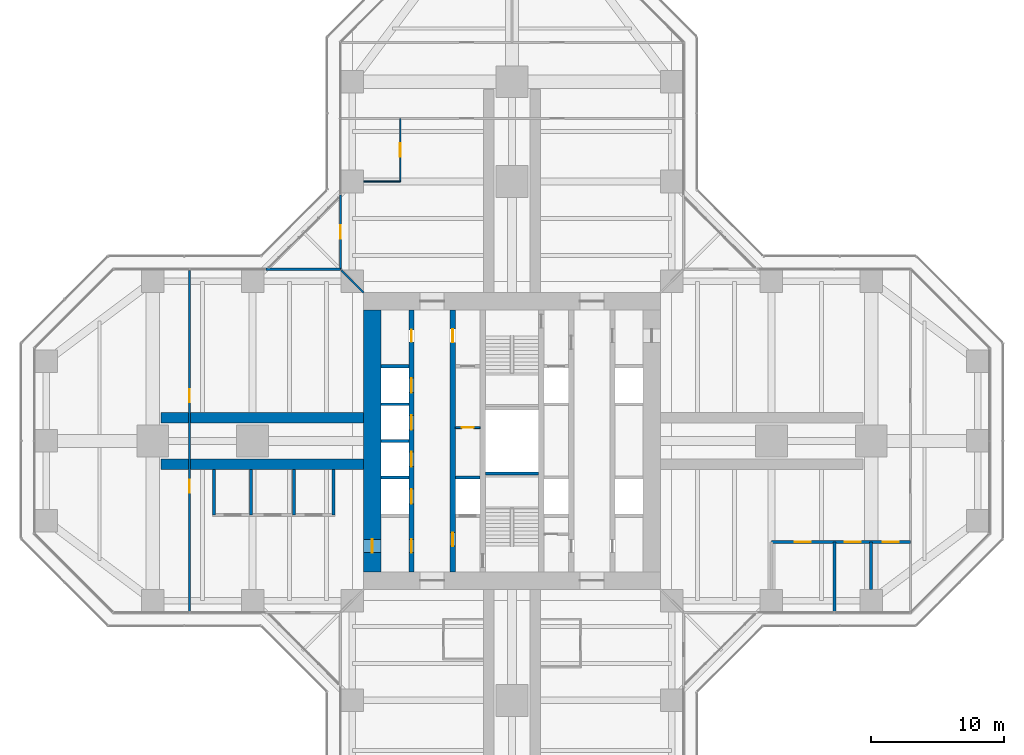
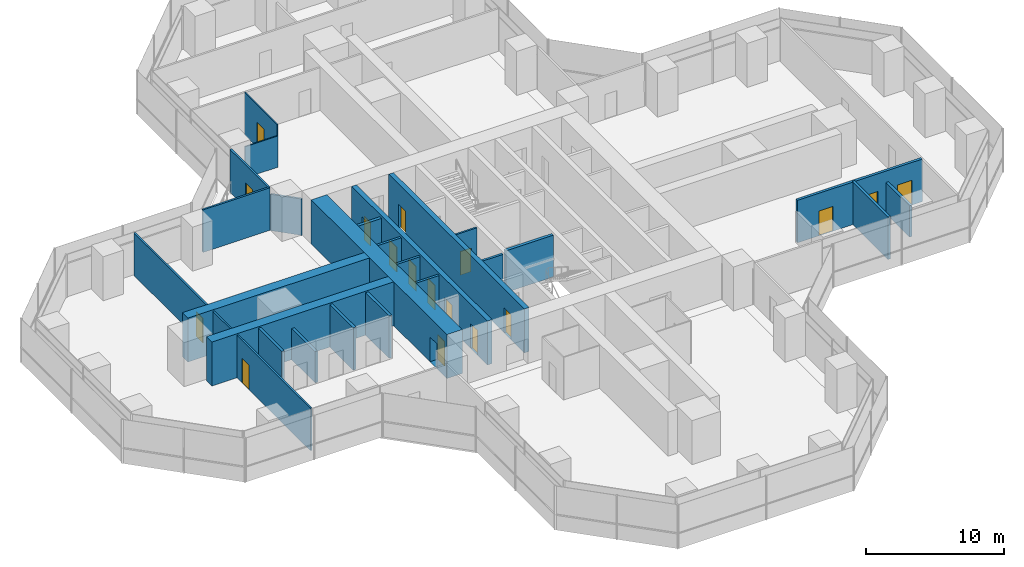
# One storey, part 18 of 22: 25 walls, 17 doors, 17 openings.
"""IFC4 building model written with IfcOpenShell, lengths in metres."""

from ifc_helpers import new_model, si_unit, direction, frame, frame_2d, origin, place, context, subcontext, project, spatial, rectangle, extrude, material, layer, layer_set, type_object, element, fill, save


model = new_model("IFC4")

# Units and contexts
model_context = context("Model", 3, precision=1e-05, world=origin(), true_north=direction((0.0, 1.0)))
body_context = subcontext(model_context, "Body", "Model", "MODEL_VIEW")
ifc_project = project(units=[si_unit("LENGTHUNIT", "METRE"), si_unit("AREAUNIT", "SQUARE_METRE"), si_unit("VOLUMEUNIT", "CUBIC_METRE"), si_unit("PLANEANGLEUNIT", "RADIAN"), si_unit("MASSUNIT", "GRAM", prefix="KILO")], contexts=[model_context])

# Site, building, storey
site_placement = place(None, origin())
site = spatial("IfcSite", under=ifc_project, at=site_placement, CompositionType="ELEMENT")
building_placement = place(site_placement, origin())
building = spatial("IfcBuilding", under=site, at=building_placement, Name="Mizan Broadcast Tower", CompositionType="ELEMENT")
storey_placement = place(building_placement, frame((0.0, 0.0, 47.39990234375)))
storey = spatial("IfcBuildingStorey", under=building, at=storey_placement, Name="L08", CompositionType="ELEMENT", Elevation=47.39990234375)

# Wall, openings, doors
ifc_material_1 = material(Name="Concrete C70/85", Category="concrete")
ifc_layer_1 = layer(ifc_material_1, 0.39990234375)
ifc_layer_set_1 = layer_set([ifc_layer_1], Name="Concrete C70/85")
wall_type_1 = type_object("IfcWallType", Name="CORE INTERNAL WALL 400", PredefinedType="SHEAR", material=ifc_layer_set_1)
wall_1_placement = place(storey_placement, frame((-7.550048828125, -9.85009765625, 0.0), z_axis=(0.0, 0.0, 1.0), x_axis=(0.0, 1.0, 0.0)))
wall_1 = element("IfcWall", 1, at=wall_1_placement, inside=storey, type_object=wall_type_1, Name="Core wall CORE/XW1", PredefinedType="SHEAR", context=body_context, shape_type="SweptSolid", body=[
    extrude(rectangle(XDim=19.7001953125, YDim=0.39990234375, at=frame_2d((9.85009765625, 0.0))), origin(), (0.0, 0.0, 1.0), 3.900146484375),
])
opening_1_placement = place(wall_1_placement, frame((1.449951171875, 0.0, 0.0)))
opening_1 = element("IfcOpeningElement", 2, at=opening_1_placement, cuts=wall_1, Name="Opening D10F", PredefinedType="OPENING", context=body_context, shape_type="SweptSolid", body=[
    extrude(rectangle(XDim=1.0, YDim=2.199951171875, at=frame_2d((0.5, 1.10009765625))), frame((0.0, 0.2099609375, 0.0), z_axis=(0.0, -1.0, 0.0), x_axis=(1.0, 0.0, 0.0)), (0.0, 0.0, 1.0), 0.419921875),
])
opening_2_placement = place(wall_1_placement, frame((17.300048828125, 0.0, 0.0)))
opening_2 = element("IfcOpeningElement", 3, at=opening_2_placement, cuts=wall_1, Name="Opening D09", PredefinedType="OPENING", context=body_context, shape_type="SweptSolid", body=[
    extrude(rectangle(XDim=0.89990234375, YDim=2.10009765625, at=frame_2d((0.449951171875, 1.050048828125))), frame((0.0, 0.2099609375, 0.0), z_axis=(0.0, -1.0, 0.0), x_axis=(1.0, 0.0, 0.0)), (0.0, 0.0, 1.0), 0.419921875),
])
opening_3_placement = place(wall_1_placement, frame((5.125, 0.0, 0.0)))
opening_3 = element("IfcOpeningElement", 4, at=opening_3_placement, cuts=wall_1, Name="Opening LD", PredefinedType="OPENING", context=body_context, shape_type="SweptSolid", body=[
    extrude(rectangle(XDim=1.10009765625, YDim=2.199951171875, at=frame_2d((0.550048828125, 1.10009765625))), frame((0.0, 0.2099609375, 0.0), z_axis=(0.0, -1.0, 0.0), x_axis=(1.0, 0.0, 0.0)), (0.0, 0.0, 1.0), 0.419921875),
])
opening_4_placement = place(wall_1_placement, frame((7.925048828125, 0.0, 0.0)))
opening_4 = element("IfcOpeningElement", 5, at=opening_4_placement, cuts=wall_1, Name="Opening LD", PredefinedType="OPENING", context=body_context, shape_type="SweptSolid", body=[
    extrude(rectangle(XDim=1.10009765625, YDim=2.199951171875, at=frame_2d((0.550048828125, 1.10009765625))), frame((0.0, 0.2099609375, 0.0), z_axis=(0.0, -1.0, 0.0), x_axis=(1.0, 0.0, 0.0)), (0.0, 0.0, 1.0), 0.419921875),
])
opening_5_placement = place(wall_1_placement, frame((10.675048828125, 0.0, 0.0)))
opening_5 = element("IfcOpeningElement", 6, at=opening_5_placement, cuts=wall_1, Name="Opening LD", PredefinedType="OPENING", context=body_context, shape_type="SweptSolid", body=[
    extrude(rectangle(XDim=1.10009765625, YDim=2.199951171875, at=frame_2d((0.550048828125, 1.10009765625))), frame((0.0, 0.2099609375, 0.0), z_axis=(0.0, -1.0, 0.0), x_axis=(1.0, 0.0, 0.0)), (0.0, 0.0, 1.0), 0.419921875),
])
opening_6_placement = place(wall_1_placement, frame((13.47509765625, 0.0, 0.0)))
opening_6 = element("IfcOpeningElement", 7, at=opening_6_placement, cuts=wall_1, Name="Opening LD", PredefinedType="OPENING", context=body_context, shape_type="SweptSolid", body=[
    extrude(rectangle(XDim=1.10009765625, YDim=2.199951171875, at=frame_2d((0.550048828125, 1.10009765625))), frame((0.0, 0.2099609375, 0.0), z_axis=(0.0, -1.0, 0.0), x_axis=(1.0, 0.0, 0.0)), (0.0, 0.0, 1.0), 0.419921875),
])
ifc_material_2 = material(Name="Steel door leaf in steel frame", Category="steel")
door_type_1 = type_object("IfcDoorType", Name="FIRE DOOR 1000 FD90", OperationType="SINGLE_SWING_LEFT", PredefinedType="DOOR", material=ifc_material_2)
door_1_placement = place(opening_1_placement, origin())
door_1 = element("IfcDoor", 8, at=door_1_placement, inside=storey, type_object=door_type_1, Name="West core passage door", OperationType="SINGLE_SWING_LEFT", OverallHeight=2.199951171875, OverallWidth=1.0, PredefinedType="DOOR", context=body_context, shape_type="SweptSolid", body=[
    extrude(rectangle(XDim=1.0, YDim=2.199951171875, at=frame_2d((0.5, 1.10009765625))), frame((0.0, 0.02490234375, 0.0), z_axis=(0.0, -1.0, 0.0), x_axis=(1.0, 0.0, 0.0)), (0.0, 0.0, 1.0), 0.050048828125),
])
fill(opening_1, door_1)
ifc_material_3 = material(Name="Steel door leaf in steel frame", Category="steel")
door_type_2 = type_object("IfcDoorType", Name="LIFT LANDING DOOR 1100", OperationType="SLIDING_TO_LEFT", PredefinedType="DOOR", material=ifc_material_3)
door_2_placement = place(opening_3_placement, origin())
door_2 = element("IfcDoor", 9, at=door_2_placement, inside=storey, type_object=door_type_2, Name="Landing door LA1", OperationType="SLIDING_TO_LEFT", OverallHeight=2.199951171875, OverallWidth=1.10009765625, PredefinedType="DOOR", context=body_context, shape_type="SweptSolid", body=[
    extrude(rectangle(XDim=1.10009765625, YDim=2.199951171875, at=frame_2d((0.550048828125, 1.10009765625))), frame((0.0, 0.02490234375, 0.0), z_axis=(0.0, -1.0, 0.0), x_axis=(1.0, 0.0, 0.0)), (0.0, 0.0, 1.0), 0.050048828125),
])
fill(opening_3, door_2)
door_3_placement = place(opening_4_placement, origin())
door_3 = element("IfcDoor", 10, at=door_3_placement, inside=storey, type_object=door_type_2, Name="Landing door LA2", OperationType="SLIDING_TO_LEFT", OverallHeight=2.199951171875, OverallWidth=1.10009765625, PredefinedType="DOOR", context=body_context, shape_type="SweptSolid", body=[
    extrude(rectangle(XDim=1.10009765625, YDim=2.199951171875, at=frame_2d((0.550048828125, 1.10009765625))), frame((0.0, 0.02490234375, 0.0), z_axis=(0.0, -1.0, 0.0), x_axis=(1.0, 0.0, 0.0)), (0.0, 0.0, 1.0), 0.050048828125),
])
fill(opening_4, door_3)
door_4_placement = place(opening_5_placement, origin())
door_4 = element("IfcDoor", 11, at=door_4_placement, inside=storey, type_object=door_type_2, Name="Landing door LA3", OperationType="SLIDING_TO_LEFT", OverallHeight=2.199951171875, OverallWidth=1.10009765625, PredefinedType="DOOR", context=body_context, shape_type="SweptSolid", body=[
    extrude(rectangle(XDim=1.10009765625, YDim=2.199951171875, at=frame_2d((0.550048828125, 1.10009765625))), frame((0.0, 0.02490234375, 0.0), z_axis=(0.0, -1.0, 0.0), x_axis=(1.0, 0.0, 0.0)), (0.0, 0.0, 1.0), 0.050048828125),
])
fill(opening_5, door_4)
door_5_placement = place(opening_6_placement, origin())
door_5 = element("IfcDoor", 12, at=door_5_placement, inside=storey, type_object=door_type_2, Name="Landing door LA4", OperationType="SLIDING_TO_LEFT", OverallHeight=2.199951171875, OverallWidth=1.10009765625, PredefinedType="DOOR", context=body_context, shape_type="SweptSolid", body=[
    extrude(rectangle(XDim=1.10009765625, YDim=2.199951171875, at=frame_2d((0.550048828125, 1.10009765625))), frame((0.0, 0.02490234375, 0.0), z_axis=(0.0, -1.0, 0.0), x_axis=(1.0, 0.0, 0.0)), (0.0, 0.0, 1.0), 0.050048828125),
])
fill(opening_6, door_5)
ifc_material_4 = material(Name="Timber door leaf in aluminium frame", Category="wood")
door_type_3 = type_object("IfcDoorType", Name="TOILET DOOR 900", OperationType="SINGLE_SWING_LEFT", PredefinedType="DOOR", material=ifc_material_4)
door_6_placement = place(opening_2_placement, origin())
door_6 = element("IfcDoor", 13, at=door_6_placement, inside=storey, type_object=door_type_3, Name="Male WC door", OperationType="SINGLE_SWING_RIGHT", OverallHeight=2.10009765625, OverallWidth=0.89990234375, PredefinedType="DOOR", context=body_context, shape_type="SweptSolid", body=[
    extrude(rectangle(XDim=0.89990234375, YDim=2.10009765625, at=frame_2d((0.449951171875, 1.050048828125))), frame((0.0, 0.02490234375, 0.0), z_axis=(0.0, -1.0, 0.0), x_axis=(1.0, 0.0, 0.0)), (0.0, 0.0, 1.0), 0.050048828125),
])
fill(opening_2, door_6)

wall_2_placement = place(storey_placement, frame((-4.449951171875, -9.85009765625, 0.0), z_axis=(0.0, 0.0, 1.0), x_axis=(0.0, 1.0, 0.0)))
wall_2 = element("IfcWall", 14, at=wall_2_placement, inside=storey, type_object=wall_type_1, Name="Core wall CORE/XWH", PredefinedType="SHEAR", context=body_context, shape_type="SweptSolid", body=[
    extrude(rectangle(XDim=19.7001953125, YDim=0.39990234375, at=frame_2d((9.85009765625, 0.0))), origin(), (0.0, 0.0, 1.0), 3.900146484375),
])
opening_7_placement = place(wall_2_placement, frame((1.949951171875, 0.0, 0.0)))
opening_7 = element("IfcOpeningElement", 15, at=opening_7_placement, cuts=wall_2, Name="Opening D10F", PredefinedType="OPENING", context=body_context, shape_type="SweptSolid", body=[
    extrude(rectangle(XDim=1.0, YDim=2.199951171875, at=frame_2d((0.5, 1.10009765625))), frame((0.0, 0.2099609375, 0.0), z_axis=(0.0, -1.0, 0.0), x_axis=(1.0, 0.0, 0.0)), (0.0, 0.0, 1.0), 0.419921875),
])
opening_8_placement = place(wall_2_placement, frame((17.25, 0.0, 0.0)))
opening_8 = element("IfcOpeningElement", 16, at=opening_8_placement, cuts=wall_2, Name="Opening D10A", PredefinedType="OPENING", context=body_context, shape_type="SweptSolid", body=[
    extrude(rectangle(XDim=1.0, YDim=2.10009765625, at=frame_2d((0.5, 1.050048828125))), frame((0.0, 0.2099609375, 0.0), z_axis=(0.0, -1.0, 0.0), x_axis=(1.0, 0.0, 0.0)), (0.0, 0.0, 1.0), 0.419921875),
])
ifc_material_5 = material(Name="Timber door leaf in aluminium frame", Category="wood")
door_type_4 = type_object("IfcDoorType", Name="ACCESSIBLE WC DOOR 1000", OperationType="SLIDING_TO_LEFT", PredefinedType="DOOR", material=ifc_material_5)
door_7_placement = place(opening_8_placement, origin())
door_7 = element("IfcDoor", 17, at=door_7_placement, inside=storey, type_object=door_type_4, Name="Accessible WC door", OperationType="SLIDING_TO_LEFT", OverallHeight=2.10009765625, OverallWidth=1.0, PredefinedType="DOOR", context=body_context, shape_type="SweptSolid", body=[
    extrude(rectangle(XDim=1.0, YDim=2.10009765625, at=frame_2d((0.5, 1.050048828125))), frame((0.0, 0.02490234375, 0.0), z_axis=(0.0, -1.0, 0.0), x_axis=(1.0, 0.0, 0.0)), (0.0, 0.0, 1.0), 0.050048828125),
])
fill(opening_8, door_7)
door_8_placement = place(opening_7_placement, origin())
door_8 = element("IfcDoor", 18, at=door_8_placement, inside=storey, type_object=door_type_1, Name="Firefighting lobby A door", OperationType="SINGLE_SWING_LEFT", OverallHeight=2.199951171875, OverallWidth=1.0, PredefinedType="DOOR", context=body_context, shape_type="SweptSolid", body=[
    extrude(rectangle(XDim=1.0, YDim=2.199951171875, at=frame_2d((0.5, 1.10009765625))), frame((0.0, 0.02490234375, 0.0), z_axis=(0.0, -1.0, 0.0), x_axis=(1.0, 0.0, 0.0)), (0.0, 0.0, 1.0), 0.050048828125),
])
fill(opening_7, door_8)

# Wall, opening, door
ifc_material_6 = material(Name="Concrete blockwork", Category="masonry")
ifc_layer_2 = layer(ifc_material_6, 0.14990234375)
ifc_layer_set_2 = layer_set([ifc_layer_2], Name="Concrete blockwork")
wall_type_2 = type_object("IfcWallType", Name="CORE PARTITION 150", PredefinedType="SOLIDWALL", material=ifc_layer_set_2)
wall_3_placement = place(storey_placement, frame((-4.25, 1.0, 0.0), z_axis=(0.0, 0.0, 1.0), x_axis=(1.0, 0.0, 0.0)))
wall_3 = element("IfcWall", 19, at=wall_3_placement, inside=storey, type_object=wall_type_2, Name="Core partition CORE/XP2", PredefinedType="SOLIDWALL", context=body_context, shape_type="SweptSolid", body=[
    extrude(rectangle(XDim=1.85009765625, YDim=0.14990234375, at=frame_2d((0.925048828125, 0.0))), origin(), (0.0, 0.0, 1.0), 3.77001953125),
])
opening_9_placement = place(wall_3_placement, frame((0.47509765625, 0.0, 0.0)))
opening_9 = element("IfcOpeningElement", 20, at=opening_9_placement, cuts=wall_3, Name="Opening D09F", PredefinedType="OPENING", context=body_context, shape_type="SweptSolid", body=[
    extrude(rectangle(XDim=0.89990234375, YDim=2.10009765625, at=frame_2d((0.449951171875, 1.050048828125))), frame((0.0, 0.0849609375, 0.0), z_axis=(0.0, -1.0, 0.0), x_axis=(1.0, 0.0, 0.0)), (0.0, 0.0, 1.0), 0.169921875),
])
ifc_material_7 = material(Name="Steel door leaf in steel frame", Category="steel")
door_type_5 = type_object("IfcDoorType", Name="CORE ROOM DOOR 900 FD90", OperationType="SINGLE_SWING_LEFT", PredefinedType="DOOR", material=ifc_material_7)
door_9_placement = place(opening_9_placement, origin())
door_9 = element("IfcDoor", 21, at=door_9_placement, inside=storey, type_object=door_type_5, Name="Staff shower room door", OperationType="SINGLE_SWING_RIGHT", OverallHeight=2.10009765625, OverallWidth=0.89990234375, PredefinedType="DOOR", context=body_context, shape_type="SweptSolid", body=[
    extrude(rectangle(XDim=0.89990234375, YDim=2.10009765625, at=frame_2d((0.449951171875, 1.050048828125))), frame((0.0, 0.02490234375, 0.0), z_axis=(0.0, -1.0, 0.0), x_axis=(1.0, 0.0, 0.0)), (0.0, 0.0, 1.0), 0.050048828125),
])
fill(opening_9, door_9)

ifc_material_8 = material(Name="Concrete C70/85", Category="concrete")
ifc_layer_3 = layer(ifc_material_8, 1.300048828125)
ifc_layer_set_3 = layer_set([ifc_layer_3], Name="Concrete C70/85")
wall_type_3 = type_object("IfcWallType", Name="CORE WALL 1300", PredefinedType="SHEAR", material=ifc_layer_set_3)
wall_4_placement = place(storey_placement, frame((-10.5, 9.85009765625, 0.0), z_axis=(0.0, 0.0, 1.0), x_axis=(0.0, -1.0, 0.0)))
wall_4 = element("IfcWall", 22, at=wall_4_placement, inside=storey, type_object=wall_type_3, Name="Core wall W L08", PredefinedType="SHEAR", context=body_context, shape_type="SweptSolid", body=[
    extrude(rectangle(XDim=19.7001953125, YDim=1.300048828125, at=frame_2d((9.85009765625, 0.0))), origin(), (0.0, 0.0, 1.0), 3.900146484375),
])
opening_10_placement = place(wall_4_placement, frame((17.25, 0.0, 0.0)))
opening_10 = element("IfcOpeningElement", 23, at=opening_10_placement, cuts=wall_4, Name="Opening D10F", PredefinedType="OPENING", context=body_context, shape_type="SweptSolid", body=[
    extrude(rectangle(XDim=1.0, YDim=2.199951171875, at=frame_2d((0.5, 1.10009765625))), frame((0.0, 0.659912109375, 0.0), z_axis=(0.0, -1.0, 0.0), x_axis=(1.0, 0.0, 0.0)), (0.0, 0.0, 1.0), 1.320068359375),
])
door_10_placement = place(opening_10_placement, origin())
door_10 = element("IfcDoor", 24, at=door_10_placement, inside=storey, type_object=door_type_1, Name="West core passage arm door", OperationType="SINGLE_SWING_RIGHT", OverallHeight=2.199951171875, OverallWidth=1.0, PredefinedType="DOOR", context=body_context, shape_type="SweptSolid", body=[
    extrude(rectangle(XDim=1.0, YDim=2.199951171875, at=frame_2d((0.5, 1.10009765625))), frame((0.0, 0.02490234375, 0.0), z_axis=(0.0, -1.0, 0.0), x_axis=(1.0, 0.0, 0.0)), (0.0, 0.0, 1.0), 0.050048828125),
])
fill(opening_10, door_10)

ifc_material_9 = material(Name="Aluminium framed glazed screen", Category="aluminium")
ifc_layer_4 = layer(ifc_material_9, 0.159912109375)
ifc_layer_set_4 = layer_set([ifc_layer_4], Name="Aluminium framed glazed screen")
wall_type_4 = type_object("IfcWallType", Name="GLAZED SCREEN WALL 160", PredefinedType="SOLIDWALL", material=ifc_layer_set_4)
wall_5_placement = place(storey_placement, frame((-12.89990234375, 18.5, 0.0), z_axis=(0.0, 0.0, 1.0), x_axis=(0.0, -1.0, 0.0)))
wall_5 = element("IfcWall", 25, at=wall_5_placement, inside=storey, type_object=wall_type_4, Name="Winter garden screen L08 N", PredefinedType="SOLIDWALL", context=body_context, shape_type="SweptSolid", body=[
    extrude(rectangle(XDim=5.60009765625, YDim=0.159912109375, at=frame_2d((2.800048828125, 0.0))), origin(), (0.0, 0.0, 1.0), 3.77001953125),
])
opening_11_placement = place(wall_5_placement, frame((2.300048828125, 0.0, 0.0)))
opening_11 = element("IfcOpeningElement", 26, at=opening_11_placement, cuts=wall_5, Name="Opening WGD", PredefinedType="OPENING", context=body_context, shape_type="SweptSolid", body=[
    extrude(rectangle(XDim=1.0, YDim=2.199951171875, at=frame_2d((0.5, 1.10009765625))), frame((0.0, 0.08984375, 0.0), z_axis=(0.0, -1.0, 0.0), x_axis=(1.0, 0.0, 0.0)), (0.0, 0.0, 1.0), 0.179931640625),
])
ifc_material_10 = material(Name="Aluminium framed glazed door", Category="aluminium")
door_type_6 = type_object("IfcDoorType", Name="WINTER GARDEN DOOR 1000 GLAZED", OperationType="SINGLE_SWING_LEFT", PredefinedType="DOOR", material=ifc_material_10)
door_11_placement = place(opening_11_placement, origin())
door_11 = element("IfcDoor", 27, at=door_11_placement, inside=storey, type_object=door_type_6, Name="Winter garden door L08 N", OperationType="SINGLE_SWING_RIGHT", OverallHeight=2.199951171875, OverallWidth=1.0, PredefinedType="DOOR", context=body_context, shape_type="SweptSolid", body=[
    extrude(rectangle(XDim=1.0, YDim=2.199951171875, at=frame_2d((0.5, 1.10009765625))), frame((0.0, 0.02490234375, 0.0), z_axis=(0.0, -1.0, 0.0), x_axis=(1.0, 0.0, 0.0)), (0.0, 0.0, 1.0), 0.050048828125),
])
fill(opening_11, door_11)

# Walls
wall_6_placement = place(storey_placement, frame((-12.89990234375, 12.89990234375, 0.0), z_axis=(0.0, 0.0, 1.0), x_axis=(-1.0, 0.0, 0.0)))
element("IfcWall", 28, at=wall_6_placement, inside=storey, type_object=wall_type_4, Name="Winter garden screen L08 W", PredefinedType="SOLIDWALL", context=body_context, shape_type="SweptSolid", body=[
    extrude(rectangle(XDim=5.60009765625, YDim=0.159912109375, at=frame_2d((2.800048828125, 0.0))), origin(), (0.0, 0.0, 1.0), 3.77001953125),
])
ifc_material_11 = material(Name="Concrete blockwork", Category="masonry")
ifc_layer_5 = layer(ifc_material_11, 0.199951171875)
ifc_layer_set_5 = layer_set([ifc_layer_5], Name="Concrete blockwork")
wall_type_5 = type_object("IfcWallType", Name="LIFT SHAFT WALL 200", PredefinedType="SOLIDWALL", material=ifc_layer_set_5)
wall_7_placement = place(storey_placement, frame((-9.85009765625, -2.75, 0.0), z_axis=(0.0, 0.0, 1.0), x_axis=(1.0, 0.0, 0.0)))
element("IfcWall", 29, at=wall_7_placement, inside=storey, type_object=wall_type_5, Name="Lift shaft wall CORE/SW1-1", PredefinedType="SOLIDWALL", context=body_context, shape_type="SweptSolid", body=[
    extrude(rectangle(XDim=2.10009765625, YDim=0.199951171875, at=frame_2d((1.050048828125, 0.0))), origin(), (0.0, 0.0, 1.0), 3.7001953125),
])
wall_8_placement = place(storey_placement, frame((-4.25, -2.75, 0.0), z_axis=(0.0, 0.0, 1.0), x_axis=(1.0, 0.0, 0.0)))
element("IfcWall", 30, at=wall_8_placement, inside=storey, type_object=wall_type_5, Name="Lift shaft wall CORE/SW2-1", PredefinedType="SOLIDWALL", context=body_context, shape_type="SweptSolid", body=[
    extrude(rectangle(XDim=1.85009765625, YDim=0.199951171875, at=frame_2d((0.925048828125, 0.0))), origin(), (0.0, 0.0, 1.0), 3.7001953125),
])
for number, where, z_axis, x_axis, name in (
    (31, (-9.85009765625, 0.0, 0.0), (0.0, 0.0, 1.0), (1.0, 0.0, 0.0), "Lift shaft wall CORE/SW1-2"),
    (32, (-9.85009765625, 2.75, 0.0), (0.0, 0.0, 1.0), (1.0, 0.0, 0.0), "Lift shaft wall CORE/SW1-3"),
):
    element("IfcWall", number, at=place(storey_placement, frame(where, z_axis=z_axis, x_axis=x_axis)), inside=storey, type_object=wall_type_5, Name=name, PredefinedType="SOLIDWALL", context=body_context, shape_type="SweptSolid", body=[
        extrude(rectangle(XDim=2.10009765625, YDim=0.199951171875, at=frame_2d((1.050048828125, 0.0))), origin(), (0.0, 0.0, 1.0), 3.7001953125),
    ])
ifc_material_12 = material(Name="Concrete blockwork", Category="masonry")
ifc_layer_6 = layer(ifc_material_12, 0.25)
ifc_layer_set_6 = layer_set([ifc_layer_6], Name="Concrete blockwork")
wall_type_6 = type_object("IfcWallType", Name="LOBBY ENCLOSURE WALL 250", PredefinedType="SOLIDWALL", material=ifc_layer_set_6)
wall_9_placement = place(storey_placement, frame((-9.85009765625, 5.625, 0.0), z_axis=(0.0, 0.0, 1.0), x_axis=(1.0, 0.0, 0.0)))
element("IfcWall", 33, at=wall_9_placement, inside=storey, type_object=wall_type_6, Name="Lobby enclosure wall CORE/BW1N", PredefinedType="SOLIDWALL", context=body_context, shape_type="SweptSolid", body=[
    extrude(rectangle(XDim=2.10009765625, YDim=0.25, at=frame_2d((1.050048828125, 0.0))), origin(), (0.0, 0.0, 1.0), 3.7001953125),
])
wall_10_placement = place(storey_placement, frame((-2.0, -2.449951171875, 0.0), z_axis=(0.0, 0.0, 1.0), x_axis=(1.0, 0.0, 0.0)))
element("IfcWall", 34, at=wall_10_placement, inside=storey, type_object=wall_type_6, Name="Lobby enclosure wall CORE/STA", PredefinedType="SOLIDWALL", context=body_context, shape_type="SweptSolid", body=[
    extrude(rectangle(XDim=4.0, YDim=0.25, at=frame_2d((2.0, 0.0))), origin(), (0.0, 0.0, 1.0), 3.7001953125),
])

# Wall, openings, doors
ifc_material_13 = material(Name="Gypsum board on steel studs", Category="steel")
ifc_layer_7 = layer(ifc_material_13, 0.14990234375)
ifc_layer_set_7 = layer_set([ifc_layer_7], Name="Gypsum board on steel studs")
wall_type_7 = type_object("IfcWallType", Name="PARTITION 150", PredefinedType="PARTITIONING", material=ifc_layer_set_7)
wall_11_placement = place(storey_placement, frame((-24.22900390625, 12.820068359375, 0.0), z_axis=(0.0, 0.0, 1.0), x_axis=(0.0, -1.0, 0.0)))
wall_11 = element("IfcWall", 35, at=wall_11_placement, inside=storey, type_object=wall_type_7, Name="Partition PT/WX1", PredefinedType="PARTITIONING", context=body_context, shape_type="SweptSolid", body=[
    extrude(rectangle(XDim=25.64013671875, YDim=0.14990234375, at=frame_2d((12.820068359375, 0.0))), origin(), (0.0, 0.0, 1.0), 3.77001953125),
])
opening_12_placement = place(wall_11_placement, frame((15.719970703125, 0.0, 0.0)))
opening_12 = element("IfcOpeningElement", 36, at=opening_12_placement, cuts=wall_11, Name="Opening D10", PredefinedType="OPENING", context=body_context, shape_type="SweptSolid", body=[
    extrude(rectangle(XDim=1.0, YDim=2.199951171875, at=frame_2d((0.5, 1.10009765625))), frame((0.0, 0.0849609375, 0.0), z_axis=(0.0, -1.0, 0.0), x_axis=(1.0, 0.0, 0.0)), (0.0, 0.0, 1.0), 0.169921875),
])
opening_13_placement = place(wall_11_placement, frame((8.919921875, 0.0, 0.0)))
opening_13 = element("IfcOpeningElement", 37, at=opening_13_placement, cuts=wall_11, Name="Opening D10", PredefinedType="OPENING", context=body_context, shape_type="SweptSolid", body=[
    extrude(rectangle(XDim=1.0, YDim=2.199951171875, at=frame_2d((0.5, 1.10009765625))), frame((0.0, 0.0849609375, 0.0), z_axis=(0.0, -1.0, 0.0), x_axis=(1.0, 0.0, 0.0)), (0.0, 0.0, 1.0), 0.169921875),
])
ifc_material_14 = material(Name="Timber door leaf in aluminium frame", Category="wood")
door_type_7 = type_object("IfcDoorType", Name="ROOM DOOR 1000", OperationType="SINGLE_SWING_LEFT", PredefinedType="DOOR", material=ifc_material_14)
door_12_placement = place(opening_12_placement, origin())
door_12 = element("IfcDoor", 38, at=door_12_placement, inside=storey, type_object=door_type_7, Name="Edit suite area door", OperationType="SINGLE_SWING_RIGHT", OverallHeight=2.199951171875, OverallWidth=1.0, PredefinedType="DOOR", context=body_context, shape_type="SweptSolid", body=[
    extrude(rectangle(XDim=1.0, YDim=2.199951171875, at=frame_2d((0.5, 1.10009765625))), frame((0.0, 0.02490234375, 0.0), z_axis=(0.0, -1.0, 0.0), x_axis=(1.0, 0.0, 0.0)), (0.0, 0.0, 1.0), 0.050048828125),
])
fill(opening_12, door_12)
door_13_placement = place(opening_13_placement, origin())
door_13 = element("IfcDoor", 39, at=door_13_placement, inside=storey, type_object=door_type_7, Name="Edit suite area door", OperationType="SINGLE_SWING_LEFT", OverallHeight=2.199951171875, OverallWidth=1.0, PredefinedType="DOOR", context=body_context, shape_type="SweptSolid", body=[
    extrude(rectangle(XDim=1.0, YDim=2.199951171875, at=frame_2d((0.5, 1.10009765625))), frame((0.0, 0.02490234375, 0.0), z_axis=(0.0, -1.0, 0.0), x_axis=(1.0, 0.0, 0.0)), (0.0, 0.0, 1.0), 0.050048828125),
])
fill(opening_13, door_13)

# Wall
wall_12_placement = place(storey_placement, frame((-11.14990234375, 11.14990234375, 0.0), z_axis=(0.0, 0.0, 1.0), x_axis=(-0.707106781187, 0.707106781187, 0.0)))
element("IfcWall", 40, at=wall_12_placement, inside=storey, type_object=wall_type_7, Name="Partition PT/DGWN", PredefinedType="PARTITIONING", context=body_context, shape_type="SweptSolid", body=[
    extrude(rectangle(XDim=2.362060546875, YDim=0.14990234375, at=frame_2d((1.18115234375, 0.0))), origin(), (0.0, 0.0, 1.0), 3.22021484375),
])

# Wall, openings, doors
ifc_material_15 = material(Name="Twin steel stud acoustic partition, four layers of gypsum board", Category="steel")
ifc_layer_8 = layer(ifc_material_15, 0.22509765625)
ifc_layer_set_8 = layer_set([ifc_layer_8], Name="Twin steel stud acoustic partition, four layers of gypsum board")
wall_type_8 = type_object("IfcWallType", Name="PARTITION ACOUSTIC 225", PredefinedType="PARTITIONING", material=ifc_layer_set_8)
wall_13_placement = place(storey_placement, frame((19.5, -7.60009765625, 0.0), z_axis=(0.0, 0.0, 1.0), x_axis=(1.0, 0.0, 0.0)))
wall_13 = element("IfcWall", 41, at=wall_13_placement, inside=storey, type_object=wall_type_8, Name="Acoustic partition PT/ECN0", PredefinedType="PARTITIONING", context=body_context, shape_type="SweptSolid", body=[
    extrude(rectangle(XDim=10.458984375, YDim=0.22509765625, at=frame_2d((5.2294921875, 0.0))), origin(), (0.0, 0.0, 1.0), 3.77001953125),
])
opening_14_placement = place(wall_13_placement, frame((1.764404296875, 0.0, 0.0)))
opening_14 = element("IfcOpeningElement", 42, at=opening_14_placement, cuts=wall_13, Name="Opening D12A", PredefinedType="OPENING", context=body_context, shape_type="SweptSolid", body=[
    extrude(rectangle(XDim=1.199951171875, YDim=2.199951171875, at=frame_2d((0.60009765625, 1.10009765625))), frame((0.0, 0.12255859375, 0.0), z_axis=(0.0, -1.0, 0.0), x_axis=(1.0, 0.0, 0.0)), (0.0, 0.0, 1.0), 0.2451171875),
])
opening_15_placement = place(wall_13_placement, frame((5.514404296875, 0.0, 0.0)))
opening_15 = element("IfcOpeningElement", 43, at=opening_15_placement, cuts=wall_13, Name="Opening D12A", PredefinedType="OPENING", context=body_context, shape_type="SweptSolid", body=[
    extrude(rectangle(XDim=1.199951171875, YDim=2.199951171875, at=frame_2d((0.60009765625, 1.10009765625))), frame((0.0, 0.12255859375, 0.0), z_axis=(0.0, -1.0, 0.0), x_axis=(1.0, 0.0, 0.0)), (0.0, 0.0, 1.0), 0.2451171875),
])
opening_16_placement = place(wall_13_placement, frame((8.37939453125, 0.0, 0.0)))
opening_16 = element("IfcOpeningElement", 44, at=opening_16_placement, cuts=wall_13, Name="Opening D12A", PredefinedType="OPENING", context=body_context, shape_type="SweptSolid", body=[
    extrude(rectangle(XDim=1.199951171875, YDim=2.199951171875, at=frame_2d((0.60009765625, 1.10009765625))), frame((0.0, 0.12255859375, 0.0), z_axis=(0.0, -1.0, 0.0), x_axis=(1.0, 0.0, 0.0)), (0.0, 0.0, 1.0), 0.2451171875),
])
ifc_material_16 = material(Name="Timber door leaf in aluminium frame", Category="wood")
door_type_8 = type_object("IfcDoorType", Name="ACOUSTIC DOOR 1200", OperationType="SINGLE_SWING_LEFT", PredefinedType="DOOR", material=ifc_material_16)
door_14_placement = place(opening_14_placement, origin())
door_14 = element("IfcDoor", 45, at=door_14_placement, inside=storey, type_object=door_type_8, Name="Editor's office door", OperationType="SINGLE_SWING_LEFT", OverallHeight=2.199951171875, OverallWidth=1.199951171875, PredefinedType="DOOR", context=body_context, shape_type="SweptSolid", body=[
    extrude(rectangle(XDim=1.199951171875, YDim=2.199951171875, at=frame_2d((0.60009765625, 1.10009765625))), frame((0.0, 0.02490234375, 0.0), z_axis=(0.0, -1.0, 0.0), x_axis=(1.0, 0.0, 0.0)), (0.0, 0.0, 1.0), 0.050048828125),
])
fill(opening_14, door_14)
door_15_placement = place(opening_15_placement, origin())
door_15 = element("IfcDoor", 46, at=door_15_placement, inside=storey, type_object=door_type_8, Name="Editor's office door", OperationType="SINGLE_SWING_RIGHT", OverallHeight=2.199951171875, OverallWidth=1.199951171875, PredefinedType="DOOR", context=body_context, shape_type="SweptSolid", body=[
    extrude(rectangle(XDim=1.199951171875, YDim=2.199951171875, at=frame_2d((0.60009765625, 1.10009765625))), frame((0.0, 0.02490234375, 0.0), z_axis=(0.0, -1.0, 0.0), x_axis=(1.0, 0.0, 0.0)), (0.0, 0.0, 1.0), 0.050048828125),
])
fill(opening_15, door_15)
door_16_placement = place(opening_16_placement, origin())
door_16 = element("IfcDoor", 47, at=door_16_placement, inside=storey, type_object=door_type_8, Name="Editor's office door", OperationType="SINGLE_SWING_RIGHT", OverallHeight=2.199951171875, OverallWidth=1.199951171875, PredefinedType="DOOR", context=body_context, shape_type="SweptSolid", body=[
    extrude(rectangle(XDim=1.199951171875, YDim=2.199951171875, at=frame_2d((0.60009765625, 1.10009765625))), frame((0.0, 0.02490234375, 0.0), z_axis=(0.0, -1.0, 0.0), x_axis=(1.0, 0.0, 0.0)), (0.0, 0.0, 1.0), 0.050048828125),
])
fill(opening_16, door_16)

# Walls
wall_14_placement = place(storey_placement, frame((24.22900390625, -7.60009765625, 0.0), z_axis=(0.0, 0.0, 1.0), x_axis=(0.0, -1.0, 0.0)))
element("IfcWall", 48, at=wall_14_placement, inside=storey, type_object=wall_type_8, Name="Acoustic partition PT/EQN2423", PredefinedType="PARTITIONING", context=body_context, shape_type="SweptSolid", body=[
    extrude(rectangle(XDim=5.219970703125, YDim=0.22509765625, at=frame_2d((2.60986328125, 0.0))), origin(), (0.0, 0.0, 1.0), 3.77001953125),
])
wall_15_placement = place(storey_placement, frame((27.0, -7.60009765625, 0.0), z_axis=(0.0, 0.0, 1.0), x_axis=(0.0, -1.0, 0.0)))
element("IfcWall", 49, at=wall_15_placement, inside=storey, type_object=wall_type_8, Name="Acoustic partition PT/EQN2700", PredefinedType="PARTITIONING", context=body_context, shape_type="SweptSolid", body=[
    extrude(rectangle(XDim=3.5498046875, YDim=0.22509765625, at=frame_2d((1.77490234375, 0.0))), origin(), (0.0, 0.0, 1.0), 2.77001953125),
])
for number, where, z_axis, x_axis, name in (
    (50, (-13.39990234375, -2.14990234375, 0.0), (0.0, 0.0, 1.0), (0.0, -1.0, 0.0), "Acoustic partition PT/WKP0a"),
    (51, (-16.39990234375, -2.14990234375, 0.0), (0.0, 0.0, 1.0), (0.0, -1.0, 0.0), "Acoustic partition PT/WKP0b"),
):
    element("IfcWall", number, at=place(storey_placement, frame(where, z_axis=z_axis, x_axis=x_axis)), inside=storey, type_object=wall_type_8, Name=name, PredefinedType="PARTITIONING", context=body_context, shape_type="SweptSolid", body=[
        extrude(rectangle(XDim=3.400146484375, YDim=0.22509765625, at=frame_2d((1.7001953125, 0.0))), origin(), (0.0, 0.0, 1.0), 3.77001953125),
    ])
wall_16_placement = place(storey_placement, frame((-19.60009765625, -2.14990234375, 0.0), z_axis=(0.0, 0.0, 1.0), x_axis=(0.0, -1.0, 0.0)))
element("IfcWall", 52, at=wall_16_placement, inside=storey, type_object=wall_type_8, Name="Acoustic partition PT/WKP1b", PredefinedType="PARTITIONING", context=body_context, shape_type="SweptSolid", body=[
    extrude(rectangle(XDim=3.400146484375, YDim=0.22509765625, at=frame_2d((1.7001953125, 0.0))), origin(), (0.0, 0.0, 1.0), 2.77001953125),
])
wall_17_placement = place(storey_placement, frame((-22.39990234375, -2.14990234375, 0.0), z_axis=(0.0, 0.0, 1.0), x_axis=(0.0, -1.0, 0.0)))
element("IfcWall", 53, at=wall_17_placement, inside=storey, type_object=wall_type_8, Name="Acoustic partition PT/WKP2b", PredefinedType="PARTITIONING", context=body_context, shape_type="SweptSolid", body=[
    extrude(rectangle(XDim=3.400146484375, YDim=0.22509765625, at=frame_2d((1.7001953125, 0.0))), origin(), (0.0, 0.0, 1.0), 3.77001953125),
])

# Wall, opening, door
ifc_material_17 = material(Name="Glazed aluminium partition on aluminium track", Category="aluminium")
ifc_layer_9 = layer(ifc_material_17, 0.10009765625)
ifc_layer_set_9 = layer_set([ifc_layer_9], Name="Glazed aluminium partition on aluminium track")
wall_type_9 = type_object("IfcWallType", Name="PARTITION GLAZED OFFICE FRONT 100", PredefinedType="PARTITIONING", material=ifc_layer_set_9)
wall_18_placement = place(storey_placement, frame((-8.39990234375, 19.5, 0.0), z_axis=(0.0, 0.0, 1.0), x_axis=(0.0, 1.0, 0.0)))
wall_18 = element("IfcWall", 54, at=wall_18_placement, inside=storey, type_object=wall_type_9, Name="Glazed office front PT/NCP0", PredefinedType="PARTITIONING", context=body_context, shape_type="SweptSolid", body=[
    extrude(rectangle(XDim=4.72900390625, YDim=0.10009765625, at=frame_2d((2.364501953125, 0.0))), origin(), (0.0, 0.0, 1.0), 3.77001953125),
])
opening_17_placement = place(wall_18_placement, frame((1.864501953125, 0.0, 0.0)))
opening_17 = element("IfcOpeningElement", 55, at=opening_17_placement, cuts=wall_18, Name="Opening D10O", PredefinedType="OPENING", context=body_context, shape_type="SweptSolid", body=[
    extrude(rectangle(XDim=1.0, YDim=2.199951171875, at=frame_2d((0.5, 1.10009765625))), frame((0.0, 0.06005859375, 0.0), z_axis=(0.0, -1.0, 0.0), x_axis=(1.0, 0.0, 0.0)), (0.0, 0.0, 1.0), 0.1201171875),
])
ifc_material_18 = material(Name="Timber door leaf in aluminium frame", Category="wood")
door_type_9 = type_object("IfcDoorType", Name="OFFICE DOOR 1000 GLAZED", OperationType="SINGLE_SWING_LEFT", PredefinedType="DOOR", material=ifc_material_18)
door_17_placement = place(opening_17_placement, origin())
door_17 = element("IfcDoor", 56, at=door_17_placement, inside=storey, type_object=door_type_9, Name="Office door", OperationType="SINGLE_SWING_LEFT", OverallHeight=2.199951171875, OverallWidth=1.0, PredefinedType="DOOR", context=body_context, shape_type="SweptSolid", body=[
    extrude(rectangle(XDim=1.0, YDim=2.199951171875, at=frame_2d((0.5, 1.10009765625))), frame((0.0, 0.02490234375, 0.0), z_axis=(0.0, -1.0, 0.0), x_axis=(1.0, 0.0, 0.0)), (0.0, 0.0, 1.0), 0.050048828125),
])
fill(opening_17, door_17)

# Walls
wall_19_placement = place(storey_placement, frame((-8.39990234375, 19.5, 0.0), z_axis=(0.0, 0.0, 1.0), x_axis=(-1.0, 0.0, 0.0)))
element("IfcWall", 57, at=wall_19_placement, inside=storey, type_object=wall_type_9, Name="Glazed office front PT/NQP1950", PredefinedType="PARTITIONING", context=body_context, shape_type="SweptSolid", body=[
    extrude(rectangle(XDim=2.75, YDim=0.10009765625, at=frame_2d((1.375, 0.0))), origin(), (0.0, 0.0, 1.0), 2.77001953125),
])
ifc_material_19 = material(Name="Concrete C70/85", Category="concrete")
ifc_layer_10 = layer(ifc_material_19, 0.800048828125)
ifc_layer_set_10 = layer_set([ifc_layer_10], Name="Concrete C70/85")
wall_type_10 = type_object("IfcWallType", Name="SPINE WALL 800", PredefinedType="SHEAR", material=ifc_layer_set_10)
for number, where, z_axis, x_axis, name in (
    (58, (-11.14990234375, 1.75, 0.0), (0.0, 0.0, 1.0), (-1.0, 0.0, 0.0), "Spine wall WR L08"),
    (59, (-11.14990234375, -1.75, 0.0), (0.0, 0.0, 1.0), (-1.0, 0.0, 0.0), "Spine wall WL L08"),
):
    element("IfcWall", number, at=place(storey_placement, frame(where, z_axis=z_axis, x_axis=x_axis)), inside=storey, type_object=wall_type_10, Name=name, PredefinedType="SHEAR", context=body_context, shape_type="SweptSolid", body=[
        extrude(rectangle(XDim=15.25, YDim=0.800048828125, at=frame_2d((7.625, 0.0))), origin(), (0.0, 0.0, 1.0), 3.900146484375),
    ])

save(model, "model.ifc")
